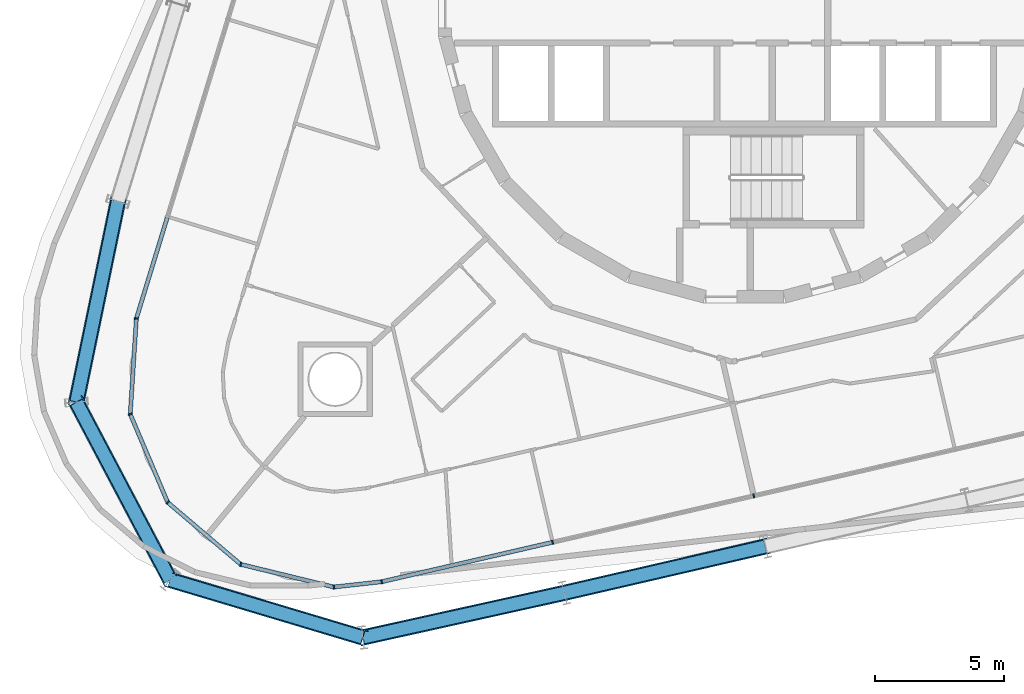
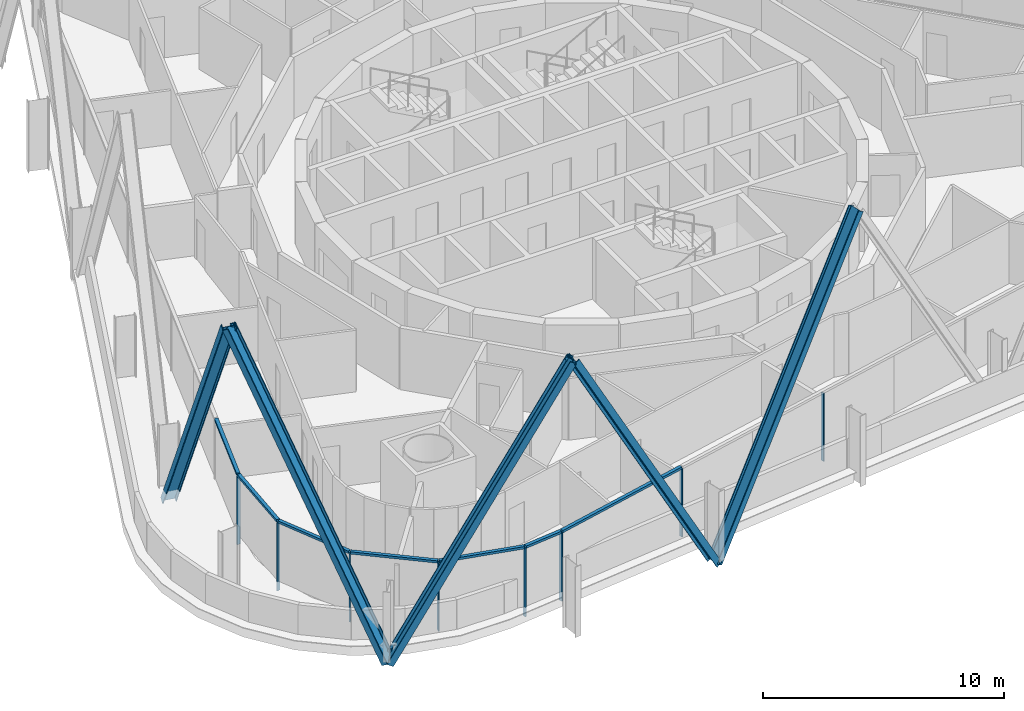
# One storey, part 3 of 18: 20 members, 2 elements without a shape of their own.
"""IFC4 building model written with IfcOpenShell, lengths in metres."""

import ifcopenshell
import ifcopenshell.guid

model = None  # the IFC model being written
_history = None  # IfcOwnerHistory: only IFC2X3 demands one
_inside = {}  # id of a spatial element -> (the spatial element, [elements in it])
_under = {}  # id of a project, library or spatial element -> (it, [spatial elements below it])
_declared = {}  # id of a project -> (the project, [libraries it declares])
_typed = {}  # id of a type object -> (the type object, [elements of that type])
_made_of = {}  # id of a material, layer set ... -> (it, [elements and type objects made of it])


def new_model(schema):
    """Start an empty IFC model of exactly this schema.

    Asked for "IFC4X3", IfcOpenShell would pick the latest addendum, in which some entities
    have other attributes; the version numbers below select the first issue.
    IFC2X3 requires an IfcOwnerHistory on every rooted entity: one is made here for all.
    """
    global model, _history
    if schema == "IFC4X3":
        model = ifcopenshell.file(schema_version=(4, 3, 0, 0))
    else:
        model = ifcopenshell.file(schema=schema)
    _inside.clear()
    _under.clear()
    _declared.clear()
    _typed.clear()
    _made_of.clear()
    _history = None
    if model.schema == "IFC2X3":
        org = make("IfcOrganization", Name="unknown")
        user = make(
            "IfcPersonAndOrganization",
            ThePerson=make("IfcPerson", FamilyName="unknown"),
            TheOrganization=org,
        )
        app = make(
            "IfcApplication",
            ApplicationDeveloper=org,
            Version="unknown",
            ApplicationFullName="unknown",
            ApplicationIdentifier="unknown",
        )
        _history = make(
            "IfcOwnerHistory",
            OwningUser=user,
            OwningApplication=app,
            ChangeAction="ADDED",
            CreationDate=0,
        )
    return model


def make(cls, **values):
    """One entity of the class cls with the attributes given. An attribute that is None is left unset."""
    return model.create_entity(
        cls, **{name: value for name, value in values.items() if value is not None}
    )


def rooted(cls, **values):
    """An entity with a GlobalId (a new one), such as an element, a storey or a relation."""
    return make(cls, GlobalId=ifcopenshell.guid.new(), OwnerHistory=_history, **values)


def si_unit(unit_type, name, prefix=None):
    """IfcSIUnit, for example si_unit("LENGTHUNIT", "METRE", prefix="MILLI")."""
    return make("IfcSIUnit", UnitType=unit_type, Prefix=prefix, Name=name)


def assignment(units):
    """IfcUnitAssignment: the units of a project."""
    return None if units is None else make("IfcUnitAssignment", Units=units)


def point(xyz):
    """IfcCartesianPoint."""
    return None if xyz is None else make("IfcCartesianPoint", Coordinates=xyz)


def direction(xyz):
    """IfcDirection."""
    return None if xyz is None else make("IfcDirection", DirectionRatios=xyz)


def frame(location, z_axis=None, x_axis=None):
    """IfcAxis2Placement3D, a coordinate frame: its origin and axes. An axis left out is left unset."""
    return make(
        "IfcAxis2Placement3D",
        Location=point(location),
        Axis=direction(z_axis),
        RefDirection=direction(x_axis),
    )


def frame_2d(location, x_axis=None):
    """IfcAxis2Placement2D, a coordinate frame in the plane: its origin and x axis."""
    return make(
        "IfcAxis2Placement2D", Location=point(location), RefDirection=direction(x_axis)
    )


def origin():
    """The frame at (0, 0, 0) with its axes left unset."""
    return frame((0.0, 0.0, 0.0))


def origin_2d():
    """The frame at (0, 0) in the plane with its x axis left unset."""
    return frame_2d((0.0, 0.0))


def place(relative_to, where):
    """IfcLocalPlacement: puts the frame where relative to a parent placement (None: the world)."""
    return make(
        "IfcLocalPlacement", PlacementRelTo=relative_to, RelativePlacement=where
    )


def context(
    kind, dimensions, precision=None, world=None, true_north=None, identifier=None
):
    """IfcGeometricRepresentationContext, for example the 3D "Model" context."""
    return make(
        "IfcGeometricRepresentationContext",
        ContextIdentifier=identifier,
        ContextType=kind,
        CoordinateSpaceDimension=dimensions,
        Precision=precision,
        WorldCoordinateSystem=world,
        TrueNorth=true_north,
    )


def subcontext(parent, identifier, kind, view, scale=None):
    """IfcGeometricRepresentationSubContext, for example "Body" below "Model"."""
    return make(
        "IfcGeometricRepresentationSubContext",
        ContextIdentifier=identifier,
        ContextType=kind,
        ParentContext=parent,
        TargetScale=scale,
        TargetView=view,
    )


def project(units=None, contexts=None):
    """IfcProject with its units and contexts."""
    return rooted(
        "IfcProject",
        Name="project",
        RepresentationContexts=contexts,
        UnitsInContext=assignment(units),
    )


def spatial(cls, under=None, at=None, **own):
    """A site, building, storey or space (cls), placed at a placement, below another one or the project."""
    s = rooted(cls, ObjectPlacement=at, **own)
    if under is not None:
        _under.setdefault(under.id(), (under, []))[1].append(s)
    return s


def profile(cls, at=None, kind="AREA", **sizes):
    """A parametric profile (cls). Its sizes go by their IFC names, for example OverallWidth=200.0."""
    return make(cls, ProfileType=kind, Position=at, **sizes)


def rectangle(**sizes):
    """IfcRectangleProfileDef."""
    return profile("IfcRectangleProfileDef", **sizes)


def i_section(**sizes):
    """IfcIShapeProfileDef."""
    return profile("IfcIShapeProfileDef", **sizes)


def extrude(swept, where, along, depth):
    """IfcExtrudedAreaSolid: the profile swept, set in the frame where, extruded along a direction by depth."""
    return make(
        "IfcExtrudedAreaSolid",
        SweptArea=swept,
        Position=where,
        ExtrudedDirection=direction(along),
        Depth=depth,
    )


def shape(context_of_items, identifier, shape_type, items):
    """IfcShapeRepresentation: the items that make up one representation, for example the "Body"."""
    return make(
        "IfcShapeRepresentation",
        ContextOfItems=context_of_items,
        RepresentationIdentifier=identifier,
        RepresentationType=shape_type,
        Items=items,
    )


def material(Name=None, Category=None):
    """IfcMaterial."""
    return make("IfcMaterial", Name=Name, Category=Category)


def layer(
    of_material, thickness, ventilated=None, Name=None, Category=None, Priority=None
):
    """IfcMaterialLayer: one layer of a wall or slab, of a material (None: an air gap)."""
    return make(
        "IfcMaterialLayer",
        Material=of_material,
        LayerThickness=thickness,
        IsVentilated=ventilated,
        Name=Name,
        Category=Category,
        Priority=Priority,
    )


def layer_set(layers, Name=None):
    """IfcMaterialLayerSet."""
    return make("IfcMaterialLayerSet", MaterialLayers=layers, LayerSetName=Name)


def material_profile(
    of_material, cross_section, Name=None, Category=None, Priority=None
):
    """IfcMaterialProfile: a cross section and its material."""
    return make(
        "IfcMaterialProfile",
        Name=Name,
        Material=of_material,
        Profile=cross_section,
        Priority=Priority,
        Category=Category,
    )


def profile_set(profiles, Name=None, composite=None):
    """IfcMaterialProfileSet."""
    return make(
        "IfcMaterialProfileSet",
        Name=Name,
        MaterialProfiles=profiles,
        CompositeProfile=composite,
    )


def made_of(thing, what):
    """Note that an element or type object is made of a material, layer set ...; save() writes the relation."""
    if what is not None:
        _made_of.setdefault(what.id(), (what, []))[1].append(thing)
    return thing


def type_object(cls, material=None, **own):
    """A type object (cls), such as IfcWallType, which elements share."""
    return made_of(rooted(cls, **own), material)


def element(
    cls,
    number,
    at=None,
    inside=None,
    cuts=None,
    type_object=None,
    material=None,
    context=None,
    identifier="Body",
    shape_type=None,
    held_by="IfcProductDefinitionShape",
    body=None,
    shapes=None,
    **own,
):
    """One element of the class cls, such as IfcWall. Its Tag is "e" and its number.

    at: its placement. inside: the storey or other place that contains it. cuts: it is an
    opening in that element (IfcRelVoidsElement). A single representation is given by context,
    identifier, shape_type and body (its items); several are given by shapes. held_by: the class
    of the entity that holds the representations. save() writes the other relations.
    """
    e = rooted(cls, Tag="e%d" % number, ObjectPlacement=at, **own)
    if body is not None:
        shapes = [shape(context, identifier, shape_type, body)]
    if shapes is not None:
        e.Representation = make(held_by, Representations=shapes)
    if inside is not None:
        _inside.setdefault(inside.id(), (inside, []))[1].append(e)
    if cuts is not None:
        rooted(
            "IfcRelVoidsElement", RelatingBuildingElement=cuts, RelatedOpeningElement=e
        )
    if type_object is not None:
        _typed.setdefault(type_object.id(), (type_object, []))[1].append(e)
    return made_of(e, material)


def aggregate(whole, parts):
    """IfcRelAggregates: a whole, such as a stair, and the parts it consists of."""
    return rooted("IfcRelAggregates", RelatingObject=whole, RelatedObjects=parts)


def save(model, path):
    """Write the relations noted so far, then the file.

    IfcRelAggregates (storeys below a building ...), IfcRelContainedInSpatialStructure (elements
    in a storey), IfcRelDefinesByType, IfcRelAssociatesMaterial and IfcRelDeclares: one each for
    every whole, place, type object, material and project.
    """
    for whole, parts in _under.values():
        aggregate(whole, parts)
    for where, things in _inside.values():
        rooted(
            "IfcRelContainedInSpatialStructure",
            RelatedElements=things,
            RelatingStructure=where,
        )
    for kind, things in _typed.values():
        rooted("IfcRelDefinesByType", RelatedObjects=things, RelatingType=kind)
    for what, things in _made_of.values():
        rooted("IfcRelAssociatesMaterial", RelatedObjects=things, RelatingMaterial=what)
    for by, libraries in _declared.values():
        rooted("IfcRelDeclares", RelatingContext=by, RelatedDefinitions=libraries)
    model.write(path)


model = new_model("IFC4")

# Units and contexts
model_context = context("Model", 3, precision=1e-05, world=origin(), true_north=direction((0.0, 1.0)))
body_context = subcontext(model_context, "Body", "Model", "MODEL_VIEW")
ifc_project = project(units=[si_unit("LENGTHUNIT", "METRE"), si_unit("AREAUNIT", "SQUARE_METRE"), si_unit("VOLUMEUNIT", "CUBIC_METRE"), si_unit("PLANEANGLEUNIT", "RADIAN"), si_unit("MASSUNIT", "GRAM", prefix="KILO")], contexts=[model_context])

# Site, building, storey
site_placement = place(None, origin())
site = spatial("IfcSite", under=ifc_project, at=site_placement, CompositionType="ELEMENT")
building_placement = place(site_placement, origin())
building = spatial("IfcBuilding", under=site, at=building_placement, Name="Spindle Arch Residences", CompositionType="ELEMENT")
storey_placement = place(building_placement, frame((0.0, 0.0, 113.39990234375)))
storey = spatial("IfcBuildingStorey", under=building, at=storey_placement, Name="L27", CompositionType="ELEMENT", Elevation=113.39990234375)

# Curtain wall, members
ifc_material_1 = material(Name="Aluminium bronze unitised frame with tinted glass", Category="aluminium")
ifc_layer_1 = layer(ifc_material_1, 0.159912109375)
ifc_layer_set_1 = layer_set([ifc_layer_1], Name="CW-D corner wall on the fillet arcs")
curtain_wall_type_1 = type_object("IfcCurtainWallType", Name="CW-D corner wall on the fillet arcs", PredefinedType="NOTDEFINED", material=ifc_layer_set_1)
curtain_wall_1_placement = place(storey_placement, origin())
curtain_wall_1 = element("IfcCurtainWall", 1, at=curtain_wall_1_placement, inside=storey, type_object=curtain_wall_type_1, Name="CW-D L27 run 5", PredefinedType="NOTDEFINED")
ifc_material_2 = material(Name="Aluminium bronze anodised mullion", Category="aluminium")
ifc_material_profile_1 = material_profile(ifc_material_2, rectangle(XDim=0.159912109375, YDim=0.06005859375, at=origin_2d()), Name="MU 60x160")
ifc_profile_set_1 = profile_set([ifc_material_profile_1], Name="Aluminium bronze anodised mullion")
member_type_1 = type_object("IfcMemberType", Name="Bronze mullion 60x160", PredefinedType="MULLION", material=ifc_profile_set_1)
member_1_placement = place(storey_placement, frame((-23.6572265625, -12.49267578125, -0.449951171875), z_axis=(0.0, 0.0, 1.0), x_axis=(0.997952993046, -0.063951729226, 0.0)))
member_1 = element("IfcMember", 2, at=member_1_placement, type_object=member_type_1, Name="CW-D mullion 01", PredefinedType="MULLION", context=body_context, shape_type="SweptSolid", body=[
    extrude(rectangle(XDim=0.159912109375, YDim=0.06005859375, at=origin_2d()), origin(), (0.0, 0.0, 1.0), 3.449951171875),
])
member_2_placement = place(storey_placement, frame((-23.8955078125, -16.2119140625, -0.449951171875), z_axis=(0.0, 0.0, 1.0), x_axis=(0.920504854032, 0.390731127124, 0.0)))
member_2 = element("IfcMember", 3, at=member_2_placement, type_object=member_type_1, Name="CW-D mullion 02", PredefinedType="MULLION", context=body_context, shape_type="SweptSolid", body=[
    extrude(rectangle(XDim=0.159912109375, YDim=0.06005859375, at=origin_2d()), origin(), (0.0, 0.0, 1.0), 3.449951171875),
])
member_3_placement = place(storey_placement, frame((-22.439208984375, -19.642333984375, -0.449951171875), z_axis=(0.0, 0.0, 1.0), x_axis=(0.647233374321, 0.762291912042, 0.0)))
member_3 = element("IfcMember", 4, at=member_3_placement, type_object=member_type_1, Name="CW-D mullion 03", PredefinedType="MULLION", context=body_context, shape_type="SweptSolid", body=[
    extrude(rectangle(XDim=0.159912109375, YDim=0.06005859375, at=origin_2d()), origin(), (0.0, 0.0, 1.0), 3.449951171875),
])
member_4_placement = place(storey_placement, frame((-19.598388671875, -22.054443359375, -0.449951171875), z_axis=(0.0, 0.0, 1.0), x_axis=(0.23627288281, 0.971686742139, 0.0)))
member_4 = element("IfcMember", 5, at=member_4_placement, type_object=member_type_1, Name="CW-D mullion 04", PredefinedType="MULLION", context=body_context, shape_type="SweptSolid", body=[
    extrude(rectangle(XDim=0.159912109375, YDim=0.06005859375, at=origin_2d()), origin(), (0.0, 0.0, 1.0), 3.449951171875),
])
member_5_placement = place(storey_placement, frame((-15.977294921875, -22.93505859375, -0.449951171875), z_axis=(0.0, 0.0, 1.0), x_axis=(-0.110312554381, 0.993896946542, 0.0)))
member_5 = element("IfcMember", 6, at=member_5_placement, type_object=member_type_1, Name="CW-D mullion 05", PredefinedType="MULLION", context=body_context, shape_type="SweptSolid", body=[
    extrude(rectangle(XDim=0.159912109375, YDim=0.06005859375, at=origin_2d()), origin(), (0.0, 0.0, 1.0), 3.449951171875),
])
member_6_placement = place(storey_placement, frame((-14.112548828125, -22.72802734375, -0.449951171875), z_axis=(0.0, 0.0, 1.0), x_axis=(-0.224951054344, 0.974370064785, 0.0)))
member_6 = element("IfcMember", 7, at=member_6_placement, type_object=member_type_1, Name="CW-D mullion 06", PredefinedType="MULLION", context=body_context, shape_type="SweptSolid", body=[
    extrude(rectangle(XDim=0.159912109375, YDim=0.06005859375, at=origin_2d()), origin(), (0.0, 0.0, 1.0), 3.449951171875),
])

ifc_material_3 = material(Name="Aluminium bronze unitised frame with tinted glass", Category="aluminium")
ifc_layer_2 = layer(ifc_material_3, 0.159912109375)
ifc_layer_set_2 = layer_set([ifc_layer_2], Name="CW-C typical residential unitised wall")
curtain_wall_type_2 = type_object("IfcCurtainWallType", Name="CW-C typical residential unitised wall", PredefinedType="NOTDEFINED", material=ifc_layer_set_2)
curtain_wall_2_placement = place(storey_placement, origin())
curtain_wall_2 = element("IfcCurtainWall", 8, at=curtain_wall_2_placement, inside=storey, type_object=curtain_wall_type_2, Name="CW-C L27 run 6", PredefinedType="NOTDEFINED")
member_7_placement = place(storey_placement, frame((-7.467529296875, -21.19384765625, -0.449951171875), z_axis=(0.0, 0.0, 1.0), x_axis=(-0.224951054344, 0.974370064785, 0.0)))
member_7 = element("IfcMember", 9, at=member_7_placement, type_object=member_type_1, Name="CW-C mullion 20", PredefinedType="MULLION", context=body_context, shape_type="SweptSolid", body=[
    extrude(rectangle(XDim=0.159912109375, YDim=0.06005859375, at=origin_2d()), origin(), (0.0, 0.0, 1.0), 3.449951171875),
])
member_8_placement = place(storey_placement, frame((0.355712890625, -19.3876953125, -0.449951171875), z_axis=(0.0, 0.0, 1.0), x_axis=(-0.224951054344, 0.974370064785, 0.0)))
member_8 = element("IfcMember", 10, at=member_8_placement, type_object=member_type_1, Name="CW-C mullion 21", PredefinedType="MULLION", context=body_context, shape_type="SweptSolid", body=[
    extrude(rectangle(XDim=0.159912109375, YDim=0.06005859375, at=origin_2d()), origin(), (0.0, 0.0, 1.0), 3.449951171875),
])
aggregate(curtain_wall_2, [member_7, member_8])

# Member
ifc_material_4 = material(Name="Aluminium bronze anodised transom", Category="aluminium")
ifc_material_profile_2 = material_profile(ifc_material_4, rectangle(XDim=0.159912109375, YDim=0.1201171875, at=origin_2d()), Name="TR 120x160")
ifc_profile_set_2 = profile_set([ifc_material_profile_2], Name="Aluminium bronze anodised transom")
member_type_2 = type_object("IfcMemberType", Name="Bronze transom 120x160", PredefinedType="USERDEFINED", material=ifc_profile_set_2)
member_9_placement = place(storey_placement, frame((-22.45458984375, -8.55908203125, 3.06005859375), z_axis=(-0.292362833345, -0.95630746817, 0.0), x_axis=(0.95630746817, -0.292362833345, 0.0)))
member_9 = element("IfcMember", 11, at=member_9_placement, type_object=member_type_2, Name="CW-D transom 00", ObjectType="TRANSOM", PredefinedType="USERDEFINED", context=body_context, shape_type="SweptSolid", body=[
    extrude(rectangle(XDim=0.159912109375, YDim=0.1201171875, at=origin_2d()), origin(), (0.0, 0.0, 1.0), 4.08349609375),
])

member_10_placement = place(storey_placement, frame((-23.6591796875, -12.522705078125, 3.06005859375), z_axis=(-0.063920256807, -0.997955009392, 0.0), x_axis=(0.997955009392, -0.063920256807, 0.0)))
member_10 = element("IfcMember", 12, at=member_10_placement, type_object=member_type_2, Name="CW-D transom 01", ObjectType="TRANSOM", PredefinedType="USERDEFINED", context=body_context, shape_type="SweptSolid", body=[
    extrude(rectangle(XDim=0.159912109375, YDim=0.1201171875, at=origin_2d()), origin(), (0.0, 0.0, 1.0), 3.666748046875),
])

member_11_placement = place(storey_placement, frame((-23.8837890625, -16.239501953125, 3.06005859375), z_axis=(0.39076699022, -0.920489630226, 0.0), x_axis=(0.920489630226, 0.39076699022, 0.0)))
member_11 = element("IfcMember", 13, at=member_11_placement, type_object=member_type_2, Name="CW-D transom 02", ObjectType="TRANSOM", PredefinedType="USERDEFINED", context=body_context, shape_type="SweptSolid", body=[
    extrude(rectangle(XDim=0.159912109375, YDim=0.1201171875, at=origin_2d()), origin(), (0.0, 0.0, 1.0), 3.666748046875),
])

member_12_placement = place(storey_placement, frame((-22.41650390625, -19.661865234375, 3.06005859375), z_axis=(0.762289120673, -0.647236661897, 0.0), x_axis=(0.647236661897, 0.762289120673, 0.0)))
member_12 = element("IfcMember", 14, at=member_12_placement, type_object=member_type_2, Name="CW-D transom 03", ObjectType="TRANSOM", PredefinedType="USERDEFINED", context=body_context, shape_type="SweptSolid", body=[
    extrude(rectangle(XDim=0.159912109375, YDim=0.1201171875, at=origin_2d()), origin(), (0.0, 0.0, 1.0), 3.666748046875),
])

member_13_placement = place(storey_placement, frame((-19.5693359375, -22.0615234375, 3.06005859375), z_axis=(0.971681239144, -0.236295513068, 0.0), x_axis=(0.236295513068, 0.971681239144, 0.0)))
member_13 = element("IfcMember", 15, at=member_13_placement, type_object=member_type_2, Name="CW-D transom 04", ObjectType="TRANSOM", PredefinedType="USERDEFINED", context=body_context, shape_type="SweptSolid", body=[
    extrude(rectangle(XDim=0.159912109375, YDim=0.1201171875, at=origin_2d()), origin(), (0.0, 0.0, 1.0), 3.666748046875),
])

member_14_placement = place(storey_placement, frame((-15.947509765625, -22.931640625, 3.06005859375), z_axis=(0.993906663087, 0.110224974808, 0.0), x_axis=(-0.110224974808, 0.993906663087, 0.0)))
member_14 = element("IfcMember", 16, at=member_14_placement, type_object=member_type_2, Name="CW-D transom 05", ObjectType="TRANSOM", PredefinedType="USERDEFINED", context=body_context, shape_type="SweptSolid", body=[
    extrude(rectangle(XDim=0.159912109375, YDim=0.1201171875, at=origin_2d()), origin(), (0.0, 0.0, 1.0), 1.816162109375),
])

member_15_placement = place(storey_placement, frame((-14.083251953125, -22.721435546875, 3.06005859375), z_axis=(0.974365014398, 0.224972928856, 0.0), x_axis=(-0.224972928856, 0.974365014398, 0.0)))
member_15 = element("IfcMember", 17, at=member_15_placement, type_object=member_type_2, Name="CW-D transom 06", ObjectType="TRANSOM", PredefinedType="USERDEFINED", context=body_context, shape_type="SweptSolid", body=[
    extrude(rectangle(XDim=0.159912109375, YDim=0.1201171875, at=origin_2d()), origin(), (0.0, 0.0, 1.0), 6.759765625),
])

aggregate(curtain_wall_1, [member_9, member_1, member_10, member_2, member_11, member_3, member_12, member_4, member_13, member_5, member_14, member_6, member_15])

# Members
ifc_material_5 = material(Name="Steel S460ML, intumescent coating R 240", Category="steel")
ifc_material_profile_3 = material_profile(ifc_material_5, i_section(OverallWidth=0.304931640625, OverallDepth=0.6201171875, WebThickness=0.02099609375, FlangeThickness=0.0400390625, FilletRadius=0.027099609375, at=origin_2d()), Name="HEM 600")
ifc_profile_set_3 = profile_set([ifc_material_profile_3], Name="Steel S460ML, intumescent coating R 240")
member_type_3 = type_object("IfcMemberType", Name="Diagrid diagonal HEM 600", PredefinedType="BRACE", material=ifc_profile_set_3)
member_16_placement = place(storey_placement, frame((-24.37744140625, -7.939697265625, -0.699951171875), z_axis=(-0.099801657471, -0.482581025128, 0.87014664474), x_axis=(0.176224296196, 0.852115121789, 0.492792873983)))
element("IfcMember", 18, at=member_16_placement, inside=storey, type_object=member_type_3, Name="Diagrid diagonal 3.1.17", PredefinedType="BRACE", context=body_context, shape_type="SweptSolid", body=[
    extrude(i_section(OverallWidth=0.304931640625, OverallDepth=0.6201171875, WebThickness=0.02099609375, FlangeThickness=0.0400390625, FilletRadius=0.027099609375, at=origin_2d()), origin(), (0.0, 0.0, 1.0), 16.169677734375),
])
for number, where, z_axis, x_axis, name in (
    (19, (-22.34228515625, -22.65869140625, -0.699951171875), (-0.226685355223, 0.429634421075, 0.874086960179), (0.407894530052, -0.773078305418, 0.485769478297), "Diagrid diagonal 3.1.18"),
    (20, (-22.34228515625, -22.65869140625, -0.699951171875), (0.465442428097, -0.139065485637, 0.874084742363), (-0.837501738618, 0.250229843632, 0.485773468983), "Diagrid diagonal 3.1.19"),
):
    element("IfcMember", number, at=place(storey_placement, frame(where, z_axis=z_axis, x_axis=x_axis)), inside=storey, type_object=member_type_3, Name=name, PredefinedType="BRACE", context=body_context, shape_type="SweptSolid", body=[
        extrude(i_section(OverallWidth=0.304931640625, OverallDepth=0.6201171875, WebThickness=0.02099609375, FlangeThickness=0.0400390625, FilletRadius=0.027099609375, at=origin_2d()), origin(), (0.0, 0.0, 1.0), 16.096923828125),
    ])
member_17_placement = place(storey_placement, frame((-7.01318359375, -23.162109375, -0.699951171875), z_axis=(-0.483801936007, -0.107114652935, 0.868597799814), x_axis=(0.848061000205, 0.187762290606, 0.495517771788)))
element("IfcMember", 21, at=member_17_placement, inside=storey, type_object=member_type_3, Name="Diagrid diagonal 3.1.20", PredefinedType="BRACE", context=body_context, shape_type="SweptSolid", body=[
    extrude(i_section(OverallWidth=0.304931640625, OverallDepth=0.6201171875, WebThickness=0.02099609375, FlangeThickness=0.0400390625, FilletRadius=0.027099609375, at=origin_2d()), origin(), (0.0, 0.0, 1.0), 16.198486328125),
])
member_18_placement = place(storey_placement, frame((-7.01318359375, -23.162109375, -0.699951171875), z_axis=(0.482934982795, 0.111491746067, 0.868529442766), x_axis=(-0.846270080295, -0.195372321861, 0.495637576308)))
element("IfcMember", 22, at=member_18_placement, inside=storey, type_object=member_type_3, Name="Diagrid diagonal 3.1.21", PredefinedType="BRACE", context=body_context, shape_type="SweptSolid", body=[
    extrude(i_section(OverallWidth=0.304931640625, OverallDepth=0.6201171875, WebThickness=0.02099609375, FlangeThickness=0.0400390625, FilletRadius=0.027099609375, at=origin_2d()), origin(), (0.0, 0.0, 1.0), 16.199951171875),
])

save(model, "model.ifc")
